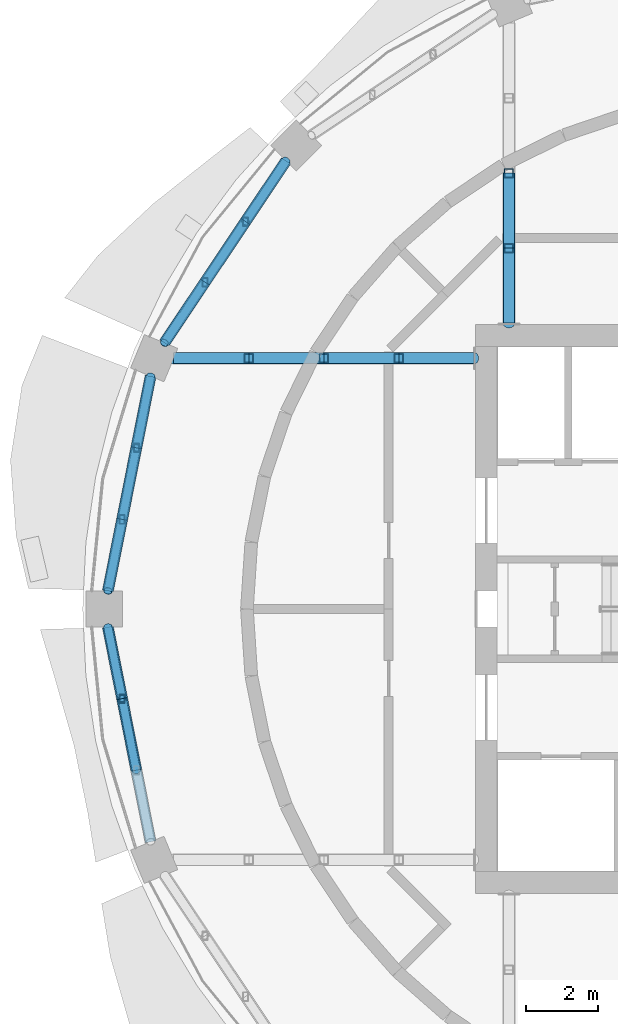
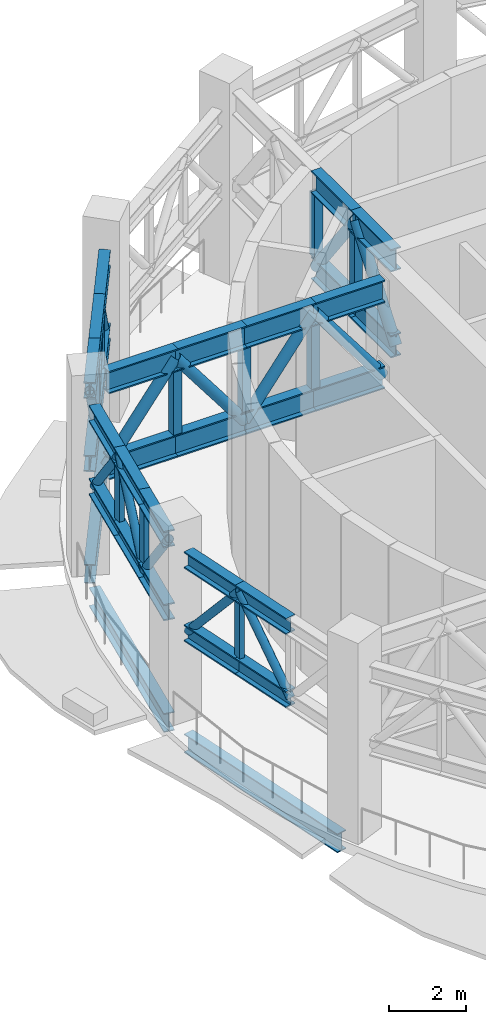
# One storey, part 4 of 14: 52 members, 3 beams.
"""IFC4 building model written with IfcOpenShell, lengths in metres."""

from ifc_helpers import new_model, si_unit, direction, frame, origin, origin_2d, place, context, subcontext, project, spatial, hollow_rectangle, hollow_circle, i_section, extrude, material, material_profile, profile_set, type_object, element, save


model = new_model("IFC4")

# Units and contexts
model_context = context("Model", 3, precision=1e-05, world=origin(), true_north=direction((0.0, 1.0)))
body_context = subcontext(model_context, "Body", "Model", "MODEL_VIEW")
ifc_project = project(units=[si_unit("LENGTHUNIT", "METRE"), si_unit("AREAUNIT", "SQUARE_METRE"), si_unit("VOLUMEUNIT", "CUBIC_METRE"), si_unit("PLANEANGLEUNIT", "RADIAN"), si_unit("MASSUNIT", "GRAM", prefix="KILO")], contexts=[model_context])

# Site, building, storey
site_placement = place(None, origin())
site = spatial("IfcSite", under=ifc_project, at=site_placement, CompositionType="ELEMENT")
building_placement = place(site_placement, origin())
building = spatial("IfcBuilding", under=site, at=building_placement, Name="Polderwave Tower", CompositionType="ELEMENT")
storey_placement = place(building_placement, frame((0.0, 0.0, 161.14990234375)))
storey = spatial("IfcBuildingStorey", under=building, at=storey_placement, Name="L43", CompositionType="ELEMENT", Elevation=161.14990234375)

# Members
ifc_material_1 = material(Name="Steel S460", Category="steel")
ifc_material_profile_1 = material_profile(ifc_material_1, i_section(OverallWidth=0.305908203125, OverallDepth=0.52392578125, WebThickness=0.02099609375, FlangeThickness=0.0400390625, at=origin_2d()), Name="HE 500 M")
ifc_profile_set_1 = profile_set([ifc_material_profile_1], Name="Steel S460")
member_type_1 = type_object("IfcMemberType", Name="BELT CHORD HE 500 M", PredefinedType="CHORD", material=ifc_profile_set_1)
for number, where, z_axis, x_axis, name in (
    (1, (-13.1171875, 12.41015625, 5.18798828125), (-0.555619896081, -0.83143642636, 0.0), (0.83143642636, -0.555619896081, 0.0), "ST-BT-L43-06-TC1"),
    (2, (-13.1171875, 12.41015625, 2.862060546875), (-0.555619896081, -0.83143642636, 0.0), (0.83143642636, -0.555619896081, 0.0), "ST-BT-L43-06-BC1"),
    (3, (-14.239990234375, 10.72998046875, 5.18798828125), (-0.555536371135, -0.831492237093, 0.0), (0.831492237093, -0.555536371135, 0.0), "ST-BT-L43-06-TC2"),
    (4, (-14.239990234375, 10.72998046875, 2.862060546875), (-0.555536371135, -0.831492237093, 0.0), (0.831492237093, -0.555536371135, 0.0), "ST-BT-L43-06-BC2"),
    (5, (-15.362548828125, 9.0498046875, 5.18798828125), (-0.555536371135, -0.831492237093, 0.0), (0.831492237093, -0.555536371135, 0.0), "ST-BT-L43-06-TC3"),
    (6, (-15.362548828125, 9.0498046875, 2.862060546875), (-0.555536371135, -0.831492237093, 0.0), (0.831492237093, -0.555536371135, 0.0), "ST-BT-L43-06-BC3"),
    (7, (-16.867919921875, 6.44580078125, 5.18798828125), (-0.195116982358, -0.980779976955, 0.0), (0.980779976955, -0.195116982358, 0.0), "ST-BT-L43-07-TC1"),
    (8, (-16.867919921875, 6.44580078125, 2.862060546875), (-0.195116982358, -0.980779976955, 0.0), (0.980779976955, -0.195116982358, 0.0), "ST-BT-L43-07-BC1"),
    (9, (-17.26220703125, 4.4638671875, 5.18798828125), (-0.195000762302, -0.980803090687, 0.0), (0.980803090687, -0.195000762302, 0.0), "ST-BT-L43-07-TC2"),
    (10, (-17.26220703125, 4.4638671875, 2.862060546875), (-0.195000762302, -0.980803090687, 0.0), (0.980803090687, -0.195000762302, 0.0), "ST-BT-L43-07-BC2"),
    (11, (-17.65625, 2.48193359375, 5.18798828125), (-0.195116982358, -0.980779976955, 0.0), (0.980779976955, -0.195116982358, 0.0), "ST-BT-L43-07-TC3"),
    (12, (-17.65625, 2.48193359375, 2.862060546875), (-0.195116982358, -0.980779976955, 0.0), (0.980779976955, -0.195116982358, 0.0), "ST-BT-L43-07-BC3"),
    (13, (-18.050537109375, -0.5, 5.18798828125), (0.195116982358, -0.980779976955, 0.0), (0.980779976955, 0.195116982358, 0.0), "ST-BT-L43-08-TC1"),
    (14, (-18.050537109375, -0.5, 2.862060546875), (0.195116982358, -0.980779976955, 0.0), (0.980779976955, 0.195116982358, 0.0), "ST-BT-L43-08-BC1"),
    (15, (-17.65625, -2.48193359375, 5.18798828125), (0.195000762302, -0.980803090687, 0.0), (0.980803090687, 0.195000762302, 0.0), "ST-BT-L43-08-TC2"),
    (16, (-17.65625, -2.48193359375, 2.862060546875), (0.195000762302, -0.980803090687, 0.0), (0.980803090687, 0.195000762302, 0.0), "ST-BT-L43-08-BC2"),
):
    element("IfcMember", number, at=place(storey_placement, frame(where, z_axis=z_axis, x_axis=x_axis)), inside=storey, type_object=member_type_1, Name=name, PredefinedType="CHORD", context=body_context, shape_type="SweptSolid", body=[
        extrude(i_section(OverallWidth=0.305908203125, OverallDepth=0.52392578125, WebThickness=0.02099609375, FlangeThickness=0.0400390625, at=origin_2d()), origin(), (0.0, 0.0, 1.0), 2.020751953125),
    ])
ifc_material_profile_2 = material_profile(ifc_material_1, hollow_circle(Radius=0.122314453125, WallThickness=0.010009765625, at=origin_2d()), Name="CHS 244.5x10")
ifc_profile_set_2 = profile_set([ifc_material_profile_2], Name="Steel S460")
member_type_2 = type_object("IfcMemberType", Name="BELT DIAGONAL CHS 244.5x10", PredefinedType="BRACE", material=ifc_profile_set_2)
for number, where, z_axis, x_axis, name in (
    (17, (-13.1171875, 12.41015625, 2.862060546875), (-0.364407763166, -0.545304245729, 0.754884270424), (0.83143642636, -0.555619896081, 0.0), "ST-BT-L43-06-D1"),
    (18, (-14.239990234375, 10.72998046875, 5.18798828125), (-0.364339045914, -0.545319989991, -0.754906065772), (0.831492237093, -0.555536371135, 0.0), "ST-BT-L43-06-D2"),
    (19, (-15.362548828125, 9.0498046875, 2.862060546875), (-0.364339045914, -0.545319989991, 0.754906065772), (0.831492237093, -0.555536371135, 0.0), "ST-BT-L43-06-D3"),
    (20, (-16.867919921875, 6.44580078125, 2.862060546875), (-0.127967666159, -0.643245519431, 0.754890374922), (0.980779976955, -0.195116982358, 0.0), "ST-BT-L43-07-D1"),
    (21, (-17.26220703125, 4.4638671875, 5.18798828125), (-0.127889725591, -0.64325203987, -0.754898027081), (0.980803090687, -0.195000762302, 0.0), "ST-BT-L43-07-D2"),
    (22, (-17.65625, 2.48193359375, 2.862060546875), (-0.127967666159, -0.643245519431, 0.754890374922), (0.980779976955, -0.195116982358, 0.0), "ST-BT-L43-07-D3"),
    (23, (-18.050537109375, -0.5, 2.862060546875), (0.127967666159, -0.643245519431, 0.754890374922), (0.980779976955, 0.195116982358, 0.0), "ST-BT-L43-08-D1"),
    (24, (-17.65625, -2.48193359375, 5.18798828125), (0.127889725591, -0.64325203987, -0.754898027081), (0.980803090687, 0.195000762302, 0.0), "ST-BT-L43-08-D2"),
):
    element("IfcMember", number, at=place(storey_placement, frame(where, z_axis=z_axis, x_axis=x_axis)), inside=storey, type_object=member_type_2, Name=name, PredefinedType="BRACE", context=body_context, shape_type="SweptSolid", body=[
        extrude(hollow_circle(Radius=0.122314453125, WallThickness=0.010009765625, at=origin_2d()), origin(), (0.0, 0.0, 1.0), 3.0810546875),
    ])
ifc_material_profile_3 = material_profile(ifc_material_1, hollow_rectangle(XDim=0.14990234375, YDim=0.25, WallThickness=0.010009765625, at=origin_2d()), Name="RHS 250x150x10")
ifc_profile_set_3 = profile_set([ifc_material_profile_3], Name="Steel S460")
member_type_3 = type_object("IfcMemberType", Name="BELT POST RHS 250x150x10", PredefinedType="POST", material=ifc_profile_set_3)
for number, where, z_axis, x_axis, name in (
    (25, (-14.239990234375, 10.72998046875, 3.1240234375), (0.0, 0.0, 1.0), (1.0, 0.0, 0.0), "ST-BT-L43-06-P1"),
    (26, (-15.362548828125, 9.0498046875, 3.1240234375), (0.0, 0.0, 1.0), (1.0, 0.0, 0.0), "ST-BT-L43-06-P2"),
    (27, (-17.26220703125, 4.4638671875, 3.1240234375), (0.0, 0.0, 1.0), (1.0, 0.0, 0.0), "ST-BT-L43-07-P1"),
    (28, (-17.65625, 2.48193359375, 3.1240234375), (0.0, 0.0, 1.0), (1.0, 0.0, 0.0), "ST-BT-L43-07-P2"),
    (29, (-17.65625, -2.48193359375, 3.1240234375), (0.0, 0.0, 1.0), (1.0, 0.0, 0.0), "ST-BT-L43-08-P1"),
):
    element("IfcMember", number, at=place(storey_placement, frame(where, z_axis=z_axis, x_axis=x_axis)), inside=storey, type_object=member_type_3, Name=name, PredefinedType="POST", context=body_context, shape_type="SweptSolid", body=[
        extrude(hollow_rectangle(XDim=0.14990234375, YDim=0.25, WallThickness=0.010009765625, at=origin_2d()), origin(), (0.0, 0.0, 1.0), 1.802001953125),
    ])
ifc_material_profile_4 = material_profile(ifc_material_1, i_section(OverallWidth=0.303955078125, OverallDepth=0.716064453125, WebThickness=0.02099609375, FlangeThickness=0.0400390625, at=origin_2d()), Name="HE 700 M")
ifc_profile_set_4 = profile_set([ifc_material_profile_4], Name="Steel S460")
member_type_4 = type_object("IfcMemberType", Name="OUTRIGGER CHORD HE 700 M", PredefinedType="CHORD", material=ifc_profile_set_4)
for number, where, z_axis, x_axis, name in (
    (30, (-6.94580078125, 7.9140625, 5.692138671875), (0.0, 1.0, 0.0), (-1.0, 0.0, 0.0), "ST-OR-L43-05-TC1"),
    (31, (-6.94580078125, 7.9140625, 2.9580078125), (0.0, 1.0, 0.0), (-1.0, 0.0, 0.0), "ST-OR-L43-05-BC1"),
):
    element("IfcMember", number, at=place(storey_placement, frame(where, z_axis=z_axis, x_axis=x_axis)), inside=storey, type_object=member_type_4, Name=name, PredefinedType="CHORD", context=body_context, shape_type="SweptSolid", body=[
        extrude(i_section(OverallWidth=0.303955078125, OverallDepth=0.716064453125, WebThickness=0.02099609375, FlangeThickness=0.0400390625, at=origin_2d()), origin(), (0.0, 0.0, 1.0), 2.078125),
    ])
for number, where, z_axis, x_axis, name in (
    (32, (-6.94580078125, 9.9921875, 5.692138671875), (0.0, 1.0, 0.0), (-1.0, 0.0, 0.0), "ST-OR-L43-05-TC2"),
    (33, (-6.94580078125, 9.9921875, 2.9580078125), (0.0, 1.0, 0.0), (-1.0, 0.0, 0.0), "ST-OR-L43-05-BC2"),
):
    element("IfcMember", number, at=place(storey_placement, frame(where, z_axis=z_axis, x_axis=x_axis)), inside=storey, type_object=member_type_4, Name=name, PredefinedType="CHORD", context=body_context, shape_type="SweptSolid", body=[
        extrude(i_section(OverallWidth=0.303955078125, OverallDepth=0.716064453125, WebThickness=0.02099609375, FlangeThickness=0.0400390625, at=origin_2d()), origin(), (0.0, 0.0, 1.0), 2.078369140625),
    ])
for number, where, z_axis, x_axis, name in (
    (34, (-7.9140625, 6.94580078125, 5.692138671875), (-1.0, 0.0, 0.0), (0.0, -1.0, 0.0), "ST-OR-L43-07-TC1"),
    (35, (-7.9140625, 6.94580078125, 2.9580078125), (-1.0, 0.0, 0.0), (0.0, -1.0, 0.0), "ST-OR-L43-07-BC1"),
):
    element("IfcMember", number, at=place(storey_placement, frame(where, z_axis=z_axis, x_axis=x_axis)), inside=storey, type_object=member_type_4, Name=name, PredefinedType="CHORD", context=body_context, shape_type="SweptSolid", body=[
        extrude(i_section(OverallWidth=0.303955078125, OverallDepth=0.716064453125, WebThickness=0.02099609375, FlangeThickness=0.0400390625, at=origin_2d()), origin(), (0.0, 0.0, 1.0), 2.078125),
    ])
for number, where, z_axis, x_axis, name in (
    (36, (-9.9921875, 6.94580078125, 5.692138671875), (-1.0, 0.0, 0.0), (0.0, -1.0, 0.0), "ST-OR-L43-07-TC2"),
    (37, (-9.9921875, 6.94580078125, 2.9580078125), (-1.0, 0.0, 0.0), (0.0, -1.0, 0.0), "ST-OR-L43-07-BC2"),
    (38, (-12.070556640625, 6.94580078125, 5.692138671875), (-1.0, 0.0, 0.0), (0.0, -1.0, 0.0), "ST-OR-L43-07-TC3"),
    (39, (-12.070556640625, 6.94580078125, 2.9580078125), (-1.0, 0.0, 0.0), (0.0, -1.0, 0.0), "ST-OR-L43-07-BC3"),
    (40, (-14.14892578125, 6.94580078125, 5.692138671875), (-1.0, 0.0, 0.0), (0.0, -1.0, 0.0), "ST-OR-L43-07-TC4"),
    (41, (-14.14892578125, 6.94580078125, 2.9580078125), (-1.0, 0.0, 0.0), (0.0, -1.0, 0.0), "ST-OR-L43-07-BC4"),
):
    element("IfcMember", number, at=place(storey_placement, frame(where, z_axis=z_axis, x_axis=x_axis)), inside=storey, type_object=member_type_4, Name=name, PredefinedType="CHORD", context=body_context, shape_type="SweptSolid", body=[
        extrude(i_section(OverallWidth=0.303955078125, OverallDepth=0.716064453125, WebThickness=0.02099609375, FlangeThickness=0.0400390625, at=origin_2d()), origin(), (0.0, 0.0, 1.0), 2.078369140625),
    ])
ifc_material_profile_5 = material_profile(ifc_material_1, hollow_circle(Radius=0.161865234375, WallThickness=0.012451171875, at=origin_2d()), Name="CHS 323.9x12.5")
ifc_profile_set_5 = profile_set([ifc_material_profile_5], Name="Steel S460")
member_type_5 = type_object("IfcMemberType", Name="OUTRIGGER DIAGONAL CHS 323.9x12.5", PredefinedType="BRACE", material=ifc_profile_set_5)
for number, where, z_axis, x_axis, name in (
    (42, (-6.94580078125, 7.9140625, 2.9580078125), (0.0, 0.605117514153, 0.796136165531), (-1.0, 0.0, 0.0), "ST-OR-L43-05-D1"),
    (43, (-6.94580078125, 9.9921875, 5.692138671875), (0.0, 0.605162570376, -0.796101917731), (-1.0, 0.0, 0.0), "ST-OR-L43-05-D2"),
    (44, (-7.9140625, 6.94580078125, 2.9580078125), (-0.605117514153, 0.0, 0.796136165531), (0.0, -1.0, 0.0), "ST-OR-L43-07-D1"),
    (45, (-9.9921875, 6.94580078125, 5.692138671875), (-0.605162570376, 0.0, -0.796101917731), (0.0, -1.0, 0.0), "ST-OR-L43-07-D2"),
    (46, (-12.070556640625, 6.94580078125, 2.9580078125), (-0.605162570376, 0.0, 0.796101917731), (0.0, -1.0, 0.0), "ST-OR-L43-07-D3"),
    (47, (-14.14892578125, 6.94580078125, 5.692138671875), (-0.605162570376, 0.0, -0.796101917731), (0.0, -1.0, 0.0), "ST-OR-L43-07-D4"),
):
    element("IfcMember", number, at=place(storey_placement, frame(where, z_axis=z_axis, x_axis=x_axis)), inside=storey, type_object=member_type_5, Name=name, PredefinedType="BRACE", context=body_context, shape_type="SweptSolid", body=[
        extrude(hollow_circle(Radius=0.161865234375, WallThickness=0.012451171875, at=origin_2d()), origin(), (0.0, 0.0, 1.0), 3.434326171875),
    ])
ifc_material_profile_6 = material_profile(ifc_material_1, hollow_rectangle(XDim=0.25, YDim=0.25, WallThickness=0.012451171875, at=origin_2d()), Name="SHS 250x250x12.5")
ifc_profile_set_6 = profile_set([ifc_material_profile_6], Name="Steel S460")
member_type_6 = type_object("IfcMemberType", Name="OUTRIGGER POST SHS 250x250x12.5", PredefinedType="POST", material=ifc_profile_set_6)
for number, where, z_axis, x_axis, name in (
    (48, (-6.94580078125, 9.9921875, 3.316162109375), (0.0, 0.0, 1.0), (1.0, 0.0, 0.0), "ST-OR-L43-05-P1"),
    (49, (-6.94580078125, 12.070556640625, 3.316162109375), (0.0, 0.0, 1.0), (1.0, 0.0, 0.0), "ST-OR-L43-05-P2"),
    (50, (-9.9921875, 6.94580078125, 3.316162109375), (0.0, 0.0, 1.0), (1.0, 0.0, 0.0), "ST-OR-L43-07-P1"),
    (51, (-12.070556640625, 6.94580078125, 3.316162109375), (0.0, 0.0, 1.0), (1.0, 0.0, 0.0), "ST-OR-L43-07-P2"),
    (52, (-14.14892578125, 6.94580078125, 3.316162109375), (0.0, 0.0, 1.0), (1.0, 0.0, 0.0), "ST-OR-L43-07-P3"),
):
    element("IfcMember", number, at=place(storey_placement, frame(where, z_axis=z_axis, x_axis=x_axis)), inside=storey, type_object=member_type_6, Name=name, PredefinedType="POST", context=body_context, shape_type="SweptSolid", body=[
        extrude(hollow_rectangle(XDim=0.25, YDim=0.25, WallThickness=0.012451171875, at=origin_2d()), origin(), (0.0, 0.0, 1.0), 2.017822265625),
    ])

# Beams
ifc_material_2 = material(Name="Steel S355", Category="steel")
ifc_material_profile_7 = material_profile(ifc_material_2, i_section(OverallWidth=0.300048828125, OverallDepth=0.60009765625, WebThickness=0.015380859375, FlangeThickness=0.030029296875, at=origin_2d()), Name="HE 600 B")
ifc_profile_set_7 = profile_set([ifc_material_profile_7], Name="Steel S355")
beam_type = type_object("IfcBeamType", Name="RING BEAM HE 600 B", PredefinedType="BEAM", material=ifc_profile_set_7)
for number, where, z_axis, x_axis, name in (
    (53, (-13.1171875, 12.41015625, -0.64990234375), (-0.555564214653, -0.831473633615, 0.0), (0.831473633615, -0.555564214653, 0.0), "ST-RB-L43-06"),
    (54, (-16.867919921875, 6.44580078125, -0.64990234375), (-0.195078243252, -0.980787682941, 0.0), (0.980787682941, -0.195078243252, 0.0), "ST-RB-L43-07"),
    (55, (-18.050537109375, -0.5, -0.64990234375), (0.195078243252, -0.980787682941, 0.0), (0.980787682941, 0.195078243252, 0.0), "ST-RB-L43-08"),
):
    element("IfcBeam", number, at=place(storey_placement, frame(where, z_axis=z_axis, x_axis=x_axis)), inside=storey, type_object=beam_type, Name=name, PredefinedType="BEAM", context=body_context, shape_type="SweptSolid", body=[
        extrude(i_section(OverallWidth=0.300048828125, OverallDepth=0.60009765625, WebThickness=0.015380859375, FlangeThickness=0.030029296875, at=origin_2d()), origin(), (0.0, 0.0, 1.0), 6.062255859375),
    ])

save(model, "model.ifc")
